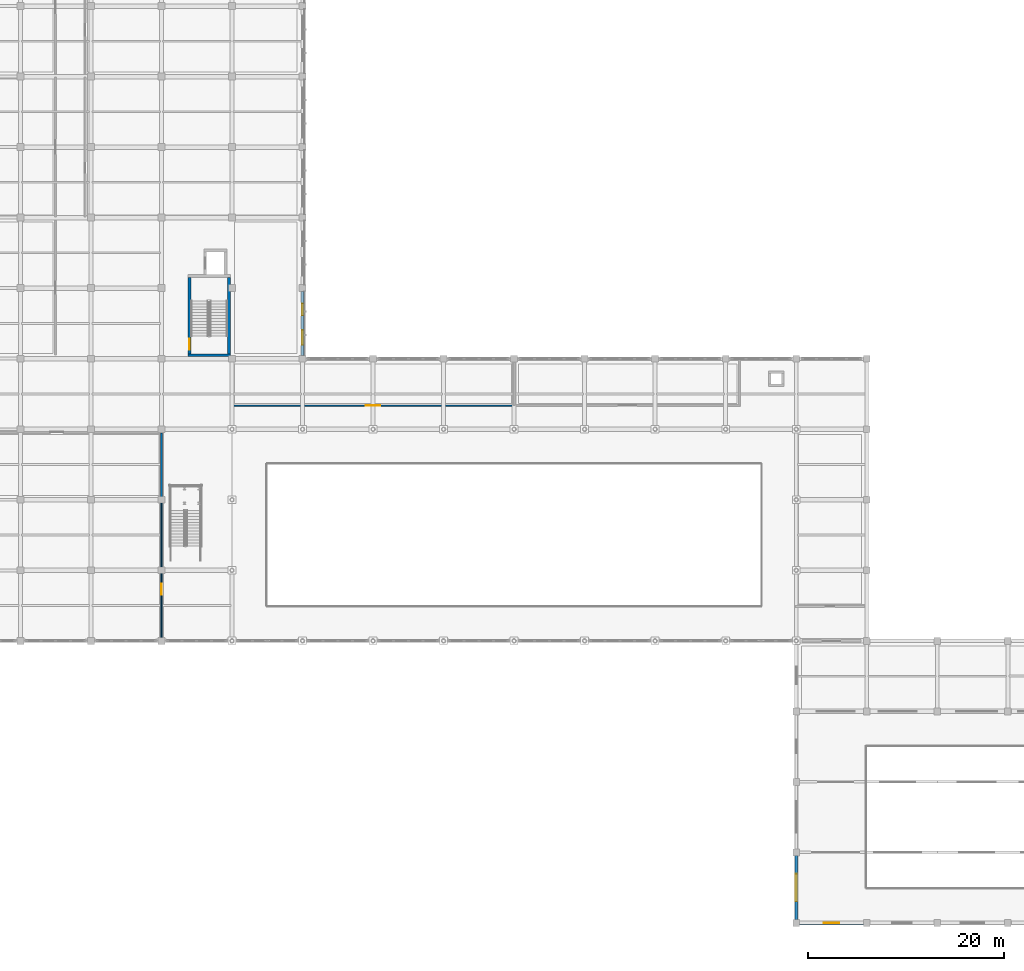
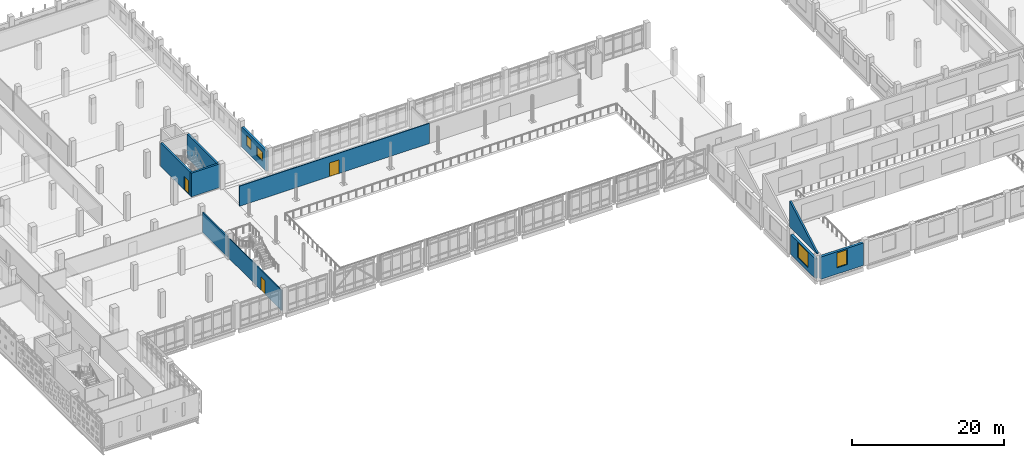
# One storey, part 39 of 62: 10 walls, 4 windows, 3 doors, 7 openings.
"""IFC4 building model written with IfcOpenShell, lengths in metres."""

from ifc_helpers import new_model, si_unit, direction, frame, frame_2d, origin, place, context, subcontext, project, spatial, polyline, rectangle, outline, extrude, material, layer, layer_set, type_object, element, fill, save


model = new_model("IFC4")

# Units and contexts
model_context = context("Model", 3, precision=1e-05, world=origin(), true_north=direction((0.0, 1.0)))
body_context = subcontext(model_context, "Body", "Model", "MODEL_VIEW")
ifc_project = project(units=[si_unit("LENGTHUNIT", "METRE"), si_unit("AREAUNIT", "SQUARE_METRE"), si_unit("VOLUMEUNIT", "CUBIC_METRE"), si_unit("PLANEANGLEUNIT", "RADIAN"), si_unit("MASSUNIT", "GRAM", prefix="KILO")], contexts=[model_context])

# Site, building, storey
site_placement = place(None, origin())
site = spatial("IfcSite", under=ifc_project, at=site_placement, CompositionType="ELEMENT")
building_placement = place(site_placement, origin())
building = spatial("IfcBuilding", under=site, at=building_placement, Name="Valkovuoma Quantum and Materials Research Institute", CompositionType="ELEMENT")
storey_placement = place(building_placement, frame((0.0, 0.0, 8.9599609375)))
storey = spatial("IfcBuildingStorey", under=building, at=storey_placement, Name="L02", CompositionType="ELEMENT", Elevation=8.9599609375)

# Wall
ifc_material_1 = material(Name="Concrete C40/50", Category="concrete")
ifc_layer_1 = layer(ifc_material_1, 0.300048828125)
ifc_layer_set_1 = layer_set([ifc_layer_1], Name="Concrete C40/50")
wall_type_1 = type_object("IfcWallType", Name="Wall-W-COR300", PredefinedType="SHEAR", material=ifc_layer_set_1)
wall_1_placement = place(storey_placement, frame((38.699951171875, 65.14990234375, 0.0), z_axis=(0.0, 0.0, 1.0), x_axis=(1.0, 0.0, 0.0)))
element("IfcWall", 1, at=wall_1_placement, inside=storey, type_object=wall_type_1, Name="L02 core wall 0284", PredefinedType="SHEAR", context=body_context, shape_type="SweptSolid", body=[
    extrude(rectangle(XDim=4.35009765625, YDim=0.300048828125, at=frame_2d((2.175048828125, 0.0))), origin(), (0.0, 0.0, 1.0), 3.81005859375),
])

# Wall, opening, door
wall_2_placement = place(storey_placement, frame((38.85009765625, 65.300048828125, 0.0), z_axis=(0.0, 0.0, 1.0), x_axis=(0.0, 1.0, 0.0)))
wall_2 = element("IfcWall", 2, at=wall_2_placement, inside=storey, type_object=wall_type_1, Name="L02 core wall 0286", PredefinedType="SHEAR", context=body_context, shape_type="SweptSolid", body=[
    extrude(rectangle(XDim=7.800048828125, YDim=0.300048828125, at=frame_2d((3.89990234375, 0.0))), origin(), (0.0, 0.0, 1.0), 3.81005859375),
])
opening_1_placement = place(wall_2_placement, frame((0.39990234375, 0.0, 0.0)))
opening_1 = element("IfcOpeningElement", 3, at=opening_1_placement, cuts=wall_2, Name="Opening SD-045", PredefinedType="OPENING", context=body_context, shape_type="SweptSolid", body=[
    extrude(rectangle(XDim=1.14990234375, YDim=2.199951171875, at=frame_2d((0.574951171875, 1.10009765625))), frame((0.0, 0.16015625, 0.0), z_axis=(0.0, -1.0, 0.0), x_axis=(1.0, 0.0, 0.0)), (0.0, 0.0, 1.0), 0.320068359375),
])
ifc_material_2 = material(Name="Powder-coated steel and acoustic timber door assembly", Category="steel")
door_type_1 = type_object("IfcDoorType", Name="Door-DR-ST60", OperationType="NOTDEFINED", PredefinedType="DOOR", material=ifc_material_2)
door_1_placement = place(opening_1_placement, frame((1.14990234375, 0.0, 0.0), z_axis=(0.0, 0.0, 1.0), x_axis=(-1.0, 0.0, 0.0)))
door_1 = element("IfcDoor", 4, at=door_1_placement, inside=storey, type_object=door_type_1, Name="L02 ST-4 fire door", OperationType="SINGLE_SWING_RIGHT", OverallHeight=2.199951171875, OverallWidth=1.14990234375, PredefinedType="DOOR", context=body_context, shape_type="SweptSolid", body=[
    extrude(rectangle(XDim=1.14990234375, YDim=2.199951171875, at=frame_2d((0.574951171875, 1.10009765625))), frame((0.0, 0.02490234375, 0.0), z_axis=(0.0, -1.0, 0.0), x_axis=(1.0, 0.0, 0.0)), (0.0, 0.0, 1.0), 0.050048828125),
])
fill(opening_1, door_1)

# Wall
wall_3_placement = place(storey_placement, frame((42.89990234375, 65.300048828125, 0.0), z_axis=(0.0, 0.0, 1.0), x_axis=(0.0, 1.0, 0.0)))
element("IfcWall", 5, at=wall_3_placement, inside=storey, type_object=wall_type_1, Name="L02 core wall 0287", PredefinedType="SHEAR", context=body_context, shape_type="SweptSolid", body=[
    extrude(rectangle(XDim=7.800048828125, YDim=0.300048828125, at=frame_2d((3.89990234375, 0.0))), origin(), (0.0, 0.0, 1.0), 3.81005859375),
])

# Wall, openings, windows
ifc_material_3 = material(Name="Precast concrete C40/50", Category="concrete")
ifc_layer_2 = layer(ifc_material_3, 0.340087890625)
ifc_layer_set_2 = layer_set([ifc_layer_2], Name="Precast concrete C40/50")
wall_type_2 = type_object("IfcWallType", Name="Wall-W-EXT340", PredefinedType="SOLIDWALL", material=ifc_layer_set_2)
wall_4_placement = place(storey_placement, frame((50.39990234375, 65.139892578125, 0.0), z_axis=(0.0, 0.0, 1.0), x_axis=(0.0, 1.0, 0.0)))
wall_4 = element("IfcWall", 6, at=wall_4_placement, inside=storey, type_object=wall_type_2, Name="L02 exterior wall 0146", PredefinedType="SOLIDWALL", context=body_context, shape_type="SweptSolid", body=[
    extrude(rectangle(XDim=6.52001953125, YDim=0.340087890625, at=frame_2d((3.260009765625, 0.0))), origin(), (0.0, 0.0, 1.0), 3.2099609375),
])
opening_2_placement = place(wall_4_placement, frame((1.07568359375, 0.0, 1.0)))
opening_2 = element("IfcOpeningElement", 7, at=opening_2_placement, cuts=wall_4, Name="Opening WN-CL02", PredefinedType="OPENING", context=body_context, shape_type="SweptSolid", body=[
    extrude(rectangle(XDim=1.5, YDim=1.5, at=frame_2d((0.75, 0.75))), frame((0.0, 0.18017578125, 0.0), z_axis=(0.0, -1.0, 0.0), x_axis=(1.0, 0.0, 0.0)), (0.0, 0.0, 1.0), 0.360107421875),
])
opening_3_placement = place(wall_4_placement, frame((4.094482421875, 0.0, 1.0)))
opening_3 = element("IfcOpeningElement", 8, at=opening_3_placement, cuts=wall_4, Name="Opening WN-CL06", PredefinedType="OPENING", context=body_context, shape_type="SweptSolid", body=[
    extrude(rectangle(XDim=1.199951171875, YDim=1.64990234375, at=frame_2d((0.60009765625, 0.824951171875))), frame((0.0, 0.18017578125, 0.0), z_axis=(0.0, -1.0, 0.0), x_axis=(1.0, 0.0, 0.0)), (0.0, 0.0, 1.0), 0.360107421875),
])
ifc_material_4 = material(Name="Triple low-E argon glazing in thermally broken aluminium frame", Category="aluminium")
window_type_1 = type_object("IfcWindowType", Name="Win-WN-CL02", PartitioningType="SINGLE_PANEL", PredefinedType="WINDOW", material=ifc_material_4)
window_1_placement = place(opening_2_placement, origin())
window_1 = element("IfcWindow", 9, at=window_1_placement, inside=storey, type_object=window_type_1, Name="L02 window 0162", OverallHeight=1.5, OverallWidth=1.5, PartitioningType="SINGLE_PANEL", PredefinedType="WINDOW", context=body_context, shape_type="SweptSolid", body=[
    extrude(rectangle(XDim=1.5, YDim=1.5, at=frame_2d((0.75, 0.75))), frame((0.0, 0.030029296875, 0.0), z_axis=(0.0, -1.0, 0.0), x_axis=(1.0, 0.0, 0.0)), (0.0, 0.0, 1.0), 0.06005859375),
])
fill(opening_2, window_1)
ifc_material_5 = material(Name="Triple low-E argon glazing in thermally broken aluminium frame", Category="aluminium")
window_type_2 = type_object("IfcWindowType", Name="Win-WN-CL06", PartitioningType="SINGLE_PANEL", PredefinedType="WINDOW", material=ifc_material_5)
window_2_placement = place(opening_3_placement, origin())
window_2 = element("IfcWindow", 10, at=window_2_placement, inside=storey, type_object=window_type_2, Name="L02 window 0163", OverallHeight=1.64990234375, OverallWidth=1.199951171875, PartitioningType="SINGLE_PANEL", PredefinedType="WINDOW", context=body_context, shape_type="SweptSolid", body=[
    extrude(rectangle(XDim=1.199951171875, YDim=1.64990234375, at=frame_2d((0.60009765625, 0.824951171875))), frame((0.0, 0.030029296875, 0.0), z_axis=(0.0, -1.0, 0.0), x_axis=(1.0, 0.0, 0.0)), (0.0, 0.0, 1.0), 0.06005859375),
])
fill(opening_3, window_2)

# Wall, opening, window
ifc_material_6 = material(Name="Precast concrete C40/50", Category="concrete")
ifc_layer_3 = layer(ifc_material_6, 0.360107421875)
ifc_layer_set_3 = layer_set([ifc_layer_3], Name="Precast concrete C40/50")
wall_type_3 = type_object("IfcWallType", Name="Wall-W-EXT360", PredefinedType="SOLIDWALL", material=ifc_layer_set_3)
wall_5_placement = place(storey_placement, frame((100.800048828125, 7.5400390625, 0.0), z_axis=(0.0, 0.0, 1.0), x_axis=(0.0, 1.0, 0.0)))
wall_5 = element("IfcWall", 11, at=wall_5_placement, inside=storey, type_object=wall_type_3, Name="L02 exterior wall 0108", PredefinedType="SOLIDWALL", context=body_context, shape_type="SweptSolid", body=[
    extrude(rectangle(XDim=6.52001953125, YDim=0.360107421875, at=frame_2d((3.260009765625, 0.0))), origin(), (0.0, 0.0, 1.0), 3.16015625),
])
opening_4_placement = place(wall_5_placement, frame((1.860107421875, 0.0, 0.60009765625)))
opening_4 = element("IfcOpeningElement", 12, at=opening_4_placement, cuts=wall_5, Name="Opening WN-LF04", PredefinedType="OPENING", context=body_context, shape_type="SweptSolid", body=[
    extrude(rectangle(XDim=2.800048828125, YDim=2.39990234375, at=frame_2d((1.39990234375, 1.199951171875))), frame((0.0, 0.18994140625, 0.0), z_axis=(0.0, -1.0, 0.0), x_axis=(1.0, 0.0, 0.0)), (0.0, 0.0, 1.0), 0.380126953125),
])
ifc_material_7 = material(Name="Triple low-E argon glazing in thermally broken aluminium frame", Category="aluminium")
window_type_3 = type_object("IfcWindowType", Name="Win-WN-LF04", PartitioningType="SINGLE_PANEL", PredefinedType="WINDOW", material=ifc_material_7)
window_3_placement = place(opening_4_placement, origin())
window_3 = element("IfcWindow", 13, at=window_3_placement, inside=storey, type_object=window_type_3, Name="L02 window 0097", OverallHeight=2.39990234375, OverallWidth=2.800048828125, PartitioningType="SINGLE_PANEL", PredefinedType="WINDOW", context=body_context, shape_type="SweptSolid", body=[
    extrude(rectangle(XDim=2.800048828125, YDim=2.39990234375, at=frame_2d((1.39990234375, 1.199951171875))), frame((0.0, 0.030029296875, 0.0), z_axis=(0.0, -1.0, 0.0), x_axis=(1.0, 0.0, 0.0)), (0.0, 0.0, 1.0), 0.06005859375),
])
fill(opening_4, window_3)

ifc_material_8 = material(Name="Precast concrete C40/50", Category="concrete")
ifc_layer_4 = layer(ifc_material_8, 0.3798828125)
ifc_layer_set_4 = layer_set([ifc_layer_4], Name="Precast concrete C40/50")
wall_type_4 = type_object("IfcWallType", Name="Wall-W-EXT380", PredefinedType="SOLIDWALL", material=ifc_layer_set_4)
wall_6_placement = place(storey_placement, frame((101.139892578125, 7.199951171875, 0.0), z_axis=(0.0, 0.0, 1.0), x_axis=(1.0, 0.0, 0.0)))
wall_6 = element("IfcWall", 14, at=wall_6_placement, inside=storey, type_object=wall_type_4, Name="L02 exterior wall 0102", PredefinedType="SOLIDWALL", context=body_context, shape_type="SweptSolid", body=[
    extrude(rectangle(XDim=6.52001953125, YDim=0.3798828125, at=frame_2d((3.260009765625, 0.0))), origin(), (0.0, 0.0, 1.0), 3.610107421875),
])
opening_5_placement = place(wall_6_placement, frame((2.4599609375, 0.0, 1.0)))
opening_5 = element("IfcOpeningElement", 15, at=opening_5_placement, cuts=wall_6, Name="Opening WN-LF01", PredefinedType="OPENING", context=body_context, shape_type="SweptSolid", body=[
    extrude(rectangle(XDim=1.60009765625, YDim=2.39990234375, at=frame_2d((0.800048828125, 1.199951171875))), frame((0.0, 0.199951171875, 0.0), z_axis=(0.0, -1.0, 0.0), x_axis=(1.0, 0.0, 0.0)), (0.0, 0.0, 1.0), 0.39990234375),
])
ifc_material_9 = material(Name="Triple low-E argon glazing in thermally broken aluminium frame", Category="aluminium")
window_type_4 = type_object("IfcWindowType", Name="Win-WN-LF01", PartitioningType="SINGLE_PANEL", PredefinedType="WINDOW", material=ifc_material_9)
window_4_placement = place(opening_5_placement, origin())
window_4 = element("IfcWindow", 16, at=window_4_placement, inside=storey, type_object=window_type_4, Name="L02 window 0091", OverallHeight=2.39990234375, OverallWidth=1.60009765625, PartitioningType="SINGLE_PANEL", PredefinedType="WINDOW", context=body_context, shape_type="SweptSolid", body=[
    extrude(rectangle(XDim=1.60009765625, YDim=2.39990234375, at=frame_2d((0.800048828125, 1.199951171875))), frame((0.0, 0.030029296875, 0.0), z_axis=(0.0, -1.0, 0.0), x_axis=(1.0, 0.0, 0.0)), (0.0, 0.0, 1.0), 0.06005859375),
])
fill(opening_5, window_4)

# Wall
ifc_material_10 = material(Name="Precast concrete C40/50", Category="concrete")
ifc_layer_5 = layer(ifc_material_10, 0.260009765625)
ifc_layer_set_5 = layer_set([ifc_layer_5], Name="Precast concrete C40/50")
wall_type_5 = type_object("IfcWallType", Name="Wall-W-GAB260", PredefinedType="SOLIDWALL", material=ifc_layer_set_5)
wall_7_placement = place(storey_placement, frame((100.800048828125, 7.199951171875, 4.16015625), z_axis=(0.0, 0.0, 1.0), x_axis=(0.0, 1.0, 0.0)))
element("IfcWall", 17, at=wall_7_placement, inside=storey, type_object=wall_type_5, Name="L02 VOL1 sawtooth cheek wall 1W", PredefinedType="SOLIDWALL", context=body_context, shape_type="SweptSolid", body=[
    extrude(outline(polyline([(0.0, 0.0), (7.199951171875, 0.0), (7.199951171875, 0.119873046875), (7.159912109375, 4.199951171875), (0.0, 0.119873046875), (0.0, 0.0)])), frame((0.0, 0.1298828125, 0.0), z_axis=(0.0, -1.0, 0.0), x_axis=(1.0, 0.0, 0.0)), (0.0, 0.0, 1.0), 0.260009765625),
])

# Wall, opening, door
ifc_material_11 = material(Name="Interior office stud partition", Category="masonry")
ifc_layer_6 = layer(ifc_material_11, 0.135009765625)
ifc_layer_set_6 = layer_set([ifc_layer_6], Name="Interior office stud partition")
wall_type_6 = type_object("IfcWallType", Name="Wall-W-PRT135", PredefinedType="PARTITIONING", material=ifc_layer_set_6)
wall_8_placement = place(storey_placement, frame((36.0, 36.367431640625, 0.0), z_axis=(0.0, 0.0, 1.0), x_axis=(0.0, 1.0, 0.0)))
wall_8 = element("IfcWall", 18, at=wall_8_placement, inside=storey, type_object=wall_type_6, Name="L02 partition 0117", PredefinedType="PARTITIONING", context=body_context, shape_type="SweptSolid", body=[
    extrude(rectangle(XDim=13.965087890625, YDim=0.135009765625, at=frame_2d((6.982421875, 0.0))), origin(), (0.0, 0.0, 1.0), 3.260009765625),
])
opening_6_placement = place(wall_8_placement, frame((4.312744140625, 0.0, 0.0)))
opening_6 = element("IfcOpeningElement", 19, at=opening_6_placement, cuts=wall_8, Name="Opening ID-0085", PredefinedType="OPENING", context=body_context, shape_type="SweptSolid", body=[
    extrude(rectangle(XDim=1.14990234375, YDim=2.14990234375, at=frame_2d((0.574951171875, 1.074951171875))), frame((0.0, 0.07763671875, 0.0), z_axis=(0.0, -1.0, 0.0), x_axis=(1.0, 0.0, 0.0)), (0.0, 0.0, 1.0), 0.155029296875),
])
ifc_material_12 = material(Name="Powder-coated steel and acoustic timber door assembly", Category="steel")
door_type_2 = type_object("IfcDoorType", Name="Door-DR-SM01", OperationType="NOTDEFINED", PredefinedType="DOOR", material=ifc_material_12)
door_2_placement = place(opening_6_placement, origin())
door_2 = element("IfcDoor", 20, at=door_2_placement, inside=storey, type_object=door_type_2, Name="L02 room door 0085", OperationType="SINGLE_SWING_RIGHT", OverallHeight=2.14990234375, OverallWidth=1.14990234375, PredefinedType="DOOR", context=body_context, shape_type="SweptSolid", body=[
    extrude(rectangle(XDim=1.14990234375, YDim=2.14990234375, at=frame_2d((0.574951171875, 1.074951171875))), frame((0.0, 0.02490234375, 0.0), z_axis=(0.0, -1.0, 0.0), x_axis=(1.0, 0.0, 0.0)), (0.0, 0.0, 1.0), 0.050048828125),
])
fill(opening_6, door_2)

wall_9_placement = place(storey_placement, frame((43.132568359375, 60.0, 0.0), z_axis=(0.0, 0.0, 1.0), x_axis=(1.0, 0.0, 0.0)))
wall_9 = element("IfcWall", 21, at=wall_9_placement, inside=storey, type_object=wall_type_6, Name="L02 partition 0120", PredefinedType="PARTITIONING", context=body_context, shape_type="SweptSolid", body=[
    extrude(rectangle(XDim=28.934814453125, YDim=0.135009765625, at=frame_2d((14.46728515625, 0.0))), origin(), (0.0, 0.0, 1.0), 3.260009765625),
])
opening_7_placement = place(wall_9_placement, frame((13.742431640625, 0.0, 0.0)))
opening_7 = element("IfcOpeningElement", 22, at=opening_7_placement, cuts=wall_9, Name="Opening ID-0087", PredefinedType="OPENING", context=body_context, shape_type="SweptSolid", body=[
    extrude(rectangle(XDim=1.449951171875, YDim=2.199951171875, at=frame_2d((0.72509765625, 1.10009765625))), frame((0.0, 0.07763671875, 0.0), z_axis=(0.0, -1.0, 0.0), x_axis=(1.0, 0.0, 0.0)), (0.0, 0.0, 1.0), 0.155029296875),
])
ifc_material_13 = material(Name="Powder-coated steel and acoustic timber door assembly", Category="steel")
door_type_3 = type_object("IfcDoorType", Name="Door-DR-SM03", OperationType="NOTDEFINED", PredefinedType="DOOR", material=ifc_material_13)
door_3_placement = place(opening_7_placement, origin())
door_3 = element("IfcDoor", 23, at=door_3_placement, inside=storey, type_object=door_type_3, Name="L02 room door 0087", OperationType="SINGLE_SWING_RIGHT", OverallHeight=2.199951171875, OverallWidth=1.449951171875, PredefinedType="DOOR", context=body_context, shape_type="SweptSolid", body=[
    extrude(rectangle(XDim=1.449951171875, YDim=2.199951171875, at=frame_2d((0.72509765625, 1.10009765625))), frame((0.0, 0.02490234375, 0.0), z_axis=(0.0, -1.0, 0.0), x_axis=(1.0, 0.0, 0.0)), (0.0, 0.0, 1.0), 0.050048828125),
])
fill(opening_7, door_3)

# Wall
ifc_material_14 = material(Name="Laboratory fire-rated gypsum partition", Category="masonry")
ifc_layer_7 = layer(ifc_material_14, 0.179931640625)
ifc_layer_set_7 = layer_set([ifc_layer_7], Name="Laboratory fire-rated gypsum partition")
wall_type_7 = type_object("IfcWallType", Name="Wall-W-PRT180", PredefinedType="PARTITIONING", material=ifc_layer_set_7)
wall_10_placement = place(storey_placement, frame((36.0, 50.68994140625, 0.0), z_axis=(0.0, 0.0, 1.0), x_axis=(0.0, 1.0, 0.0)))
element("IfcWall", 24, at=wall_10_placement, inside=storey, type_object=wall_type_7, Name="L02 partition 0119", PredefinedType="PARTITIONING", context=body_context, shape_type="SweptSolid", body=[
    extrude(rectangle(XDim=6.52001953125, YDim=0.179931640625, at=frame_2d((3.260009765625, 0.0))), origin(), (0.0, 0.0, 1.0), 3.260009765625),
])

save(model, "model.ifc")
